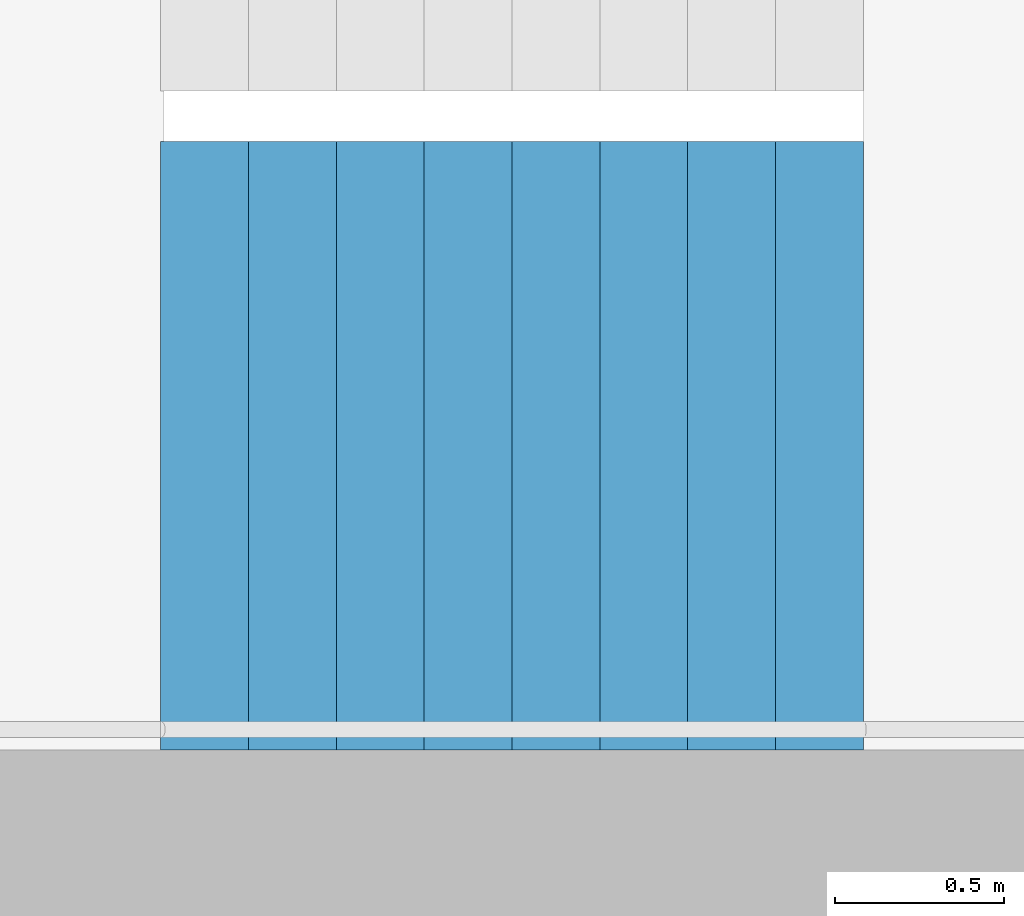
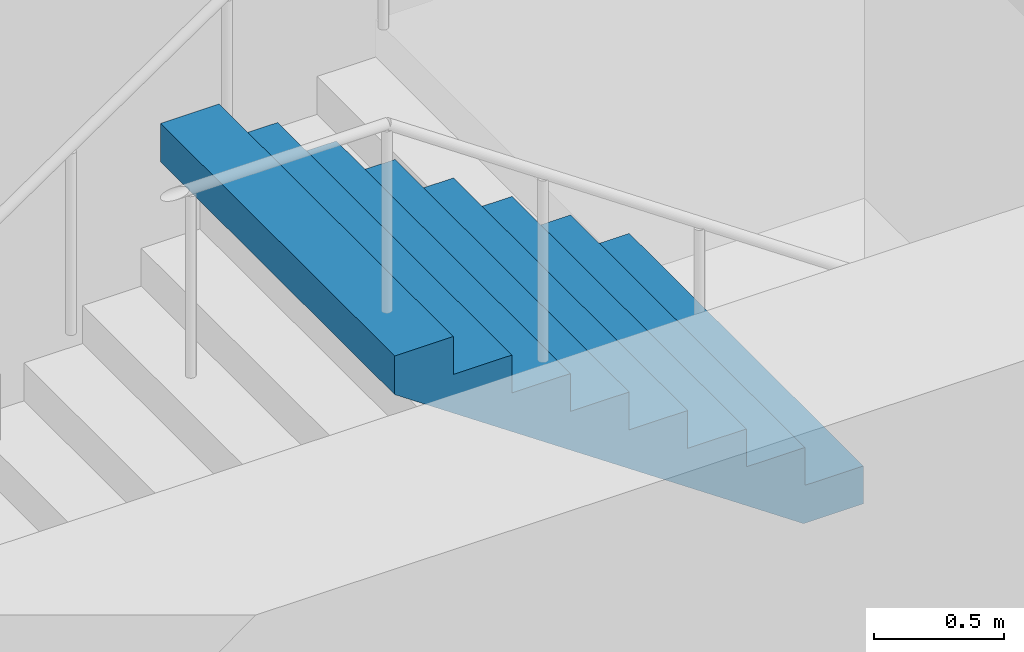
# One storey, part 22 of 26: 1 stair flight, 1 element without a shape of its own.
"""IFC4 building model written with IfcOpenShell, lengths in metres."""

from ifc_helpers import new_model, si_unit, direction, frame, origin, place, context, subcontext, project, spatial, triangles, material, type_object, element, aggregate, save


model = new_model("IFC4")

# Units and contexts
model_context = context("Model", 3, precision=1e-05, world=origin(), true_north=direction((0.0, 1.0)))
body_context = subcontext(model_context, "Body", "Model", "MODEL_VIEW")
ifc_project = project(units=[si_unit("LENGTHUNIT", "METRE"), si_unit("AREAUNIT", "SQUARE_METRE"), si_unit("VOLUMEUNIT", "CUBIC_METRE"), si_unit("PLANEANGLEUNIT", "RADIAN"), si_unit("MASSUNIT", "GRAM", prefix="KILO")], contexts=[model_context])

# Site, building, storey
site_placement = place(None, origin())
site = spatial("IfcSite", under=ifc_project, at=site_placement, CompositionType="ELEMENT")
building_placement = place(site_placement, origin())
building = spatial("IfcBuilding", under=site, at=building_placement, Name="Hakoniwa Tower and Hamabe Station Hall", CompositionType="ELEMENT")
storey_placement = place(building_placement, frame((0.0, 0.0, 140.60009765625)))
storey = spatial("IfcBuildingStorey", under=building, at=storey_placement, Name="L39", CompositionType="ELEMENT", Elevation=140.60009765625)

# Stair, stair flight
ifc_material_1 = material(Name="Concrete C40", Category="concrete")
stair_type = type_object("IfcStairType", Name="ESCAPE STAIR 1800", PredefinedType="HALF_TURN_STAIR", material=ifc_material_1)
stair_placement = place(storey_placement, origin())
stair = element("IfcStair", 1, at=stair_placement, inside=storey, type_object=stair_type, Name="Escape stair ST-4 L39", PredefinedType="HALF_TURN_STAIR")
ifc_material_2 = material(Name="Concrete C40", Category="concrete")
stair_flight_type = type_object("IfcStairFlightType", Name="STAIR FLIGHT 1800", PredefinedType="STRAIGHT", material=ifc_material_2)
stair_flight_placement = place(storey_placement, frame((25.47998046875, -6.60009765625, 1.599853515625), z_axis=(0.0, 0.0, 1.0), x_axis=(-1.0, 0.0, 0.0)))
stair_flight = element("IfcStairFlight", 2, at=stair_flight_placement, type_object=stair_flight_type, Name="ST-4 flight 2", NumberOfRisers=9, NumberOfTreads=8, PredefinedType="STRAIGHT", RiserHeight=0.177777778, TreadLength=0.26, context=body_context, shape_type="Tessellation", body=[
    triangles([(0.0, 0.89990234375, 0.0), (0.260009765625, 0.89990234375, 0.0), (0.265625, 0.89990234375, 0.0), (0.52001953125, 0.89990234375, 0.174072265625), (0.780029296875, 0.89990234375, 0.351806640625), (1.0400390625, 0.89990234375, 0.529541015625), (1.300048828125, 0.89990234375, 0.707275390625), (1.56005859375, 0.89990234375, 0.885009765625), (1.820068359375, 0.89990234375, 1.062744140625), (2.080078125, 0.89990234375, 1.24072265625), (2.080078125, 0.89990234375, 1.422119140625), (1.820068359375, 0.89990234375, 1.422119140625), (1.820068359375, 0.89990234375, 1.244384765625), (1.56005859375, 0.89990234375, 1.244384765625), (1.56005859375, 0.89990234375, 1.066650390625), (1.300048828125, 0.89990234375, 1.066650390625), (1.300048828125, 0.89990234375, 0.888916015625), (1.0400390625, 0.89990234375, 0.888916015625), (1.0400390625, 0.89990234375, 0.711181640625), (0.780029296875, 0.89990234375, 0.711181640625), (0.780029296875, 0.89990234375, 0.533447265625), (0.52001953125, 0.89990234375, 0.533447265625), (0.52001953125, 0.89990234375, 0.35546875), (0.265625, 0.89990234375, 0.35546875), (0.260009765625, 0.89990234375, 0.35546875), (0.260009765625, 0.89990234375, 0.177734375), (0.0, 0.89990234375, 0.177734375), (0.0, 0.06005859375, 0.0), (0.260009765625, 0.06005859375, 0.0), (0.265625, 0.06005859375, 0.0), (0.52001953125, 0.06005859375, 0.174072265625), (0.780029296875, 0.06005859375, 0.351806640625), (1.0400390625, 0.06005859375, 0.529541015625), (1.300048828125, 0.06005859375, 0.707275390625), (1.56005859375, 0.06005859375, 0.885009765625), (1.820068359375, 0.06005859375, 1.062744140625), (2.080078125, 0.06005859375, 1.24072265625), (2.080078125, 0.06005859375, 1.422119140625), (1.820068359375, 0.06005859375, 1.422119140625), (1.820068359375, 0.06005859375, 1.244384765625), (1.56005859375, 0.06005859375, 1.244384765625), (1.56005859375, 0.06005859375, 1.066650390625), (1.300048828125, 0.06005859375, 1.066650390625), (1.300048828125, 0.06005859375, 0.888916015625), (1.0400390625, 0.06005859375, 0.888916015625), (1.0400390625, 0.06005859375, 0.711181640625), (0.780029296875, 0.06005859375, 0.711181640625), (0.780029296875, 0.06005859375, 0.533447265625), (0.52001953125, 0.06005859375, 0.533447265625), (0.52001953125, 0.06005859375, 0.35546875), (0.265625, 0.06005859375, 0.35546875), (0.260009765625, 0.06005859375, 0.35546875), (0.260009765625, 0.06005859375, 0.177734375), (0.0, 0.06005859375, 0.177734375), (0.0, 0.04296875, 0.0), (0.260009765625, 0.04296875, 0.0), (0.265625, 0.04296875, 0.0), (0.52001953125, 0.04296875, 0.174072265625), (0.780029296875, 0.04296875, 0.351806640625), (1.0400390625, 0.04296875, 0.529541015625), (1.300048828125, 0.04296875, 0.707275390625), (1.56005859375, 0.04296875, 0.885009765625), (1.820068359375, 0.04296875, 1.062744140625), (2.080078125, 0.04296875, 1.24072265625), (2.080078125, 0.04296875, 1.422119140625), (1.820068359375, 0.04296875, 1.422119140625), (1.820068359375, 0.04296875, 1.244384765625), (1.56005859375, 0.04296875, 1.244384765625), (1.56005859375, 0.04296875, 1.066650390625), (1.300048828125, 0.04296875, 1.066650390625), (1.300048828125, 0.04296875, 0.888916015625), (1.0400390625, 0.04296875, 0.888916015625), (1.0400390625, 0.04296875, 0.711181640625), (0.780029296875, 0.04296875, 0.711181640625), (0.780029296875, 0.04296875, 0.533447265625), (0.52001953125, 0.04296875, 0.533447265625), (0.52001953125, 0.04296875, 0.35546875), (0.265625, 0.04296875, 0.35546875), (0.260009765625, 0.04296875, 0.35546875), (0.260009765625, 0.04296875, 0.177734375), (0.0, 0.04296875, 0.177734375), (0.0, 0.025634765625, 0.0), (0.260009765625, 0.025634765625, 0.0), (0.265625, 0.025634765625, 0.0), (0.52001953125, 0.025634765625, 0.174072265625), (0.780029296875, 0.025634765625, 0.351806640625), (1.0400390625, 0.025634765625, 0.529541015625), (1.300048828125, 0.025634765625, 0.707275390625), (1.56005859375, 0.025634765625, 0.885009765625), (1.820068359375, 0.025634765625, 1.062744140625), (2.080078125, 0.025634765625, 1.24072265625), (2.080078125, 0.025634765625, 1.422119140625), (1.820068359375, 0.025634765625, 1.422119140625), (1.820068359375, 0.025634765625, 1.244384765625), (1.56005859375, 0.025634765625, 1.244384765625), (1.56005859375, 0.025634765625, 1.066650390625), (1.300048828125, 0.025634765625, 1.066650390625), (1.300048828125, 0.025634765625, 0.888916015625), (1.0400390625, 0.025634765625, 0.888916015625), (1.0400390625, 0.025634765625, 0.711181640625), (0.780029296875, 0.025634765625, 0.711181640625), (0.780029296875, 0.025634765625, 0.533447265625), (0.52001953125, 0.025634765625, 0.533447265625), (0.52001953125, 0.025634765625, 0.35546875), (0.265625, 0.025634765625, 0.35546875), (0.260009765625, 0.025634765625, 0.35546875), (0.260009765625, 0.025634765625, 0.177734375), (0.0, 0.025634765625, 0.177734375), (0.0, 0.008544921875, 0.0), (0.260009765625, 0.008544921875, 0.0), (0.265625, 0.008544921875, 0.0), (0.52001953125, 0.008544921875, 0.174072265625), (0.780029296875, 0.008544921875, 0.351806640625), (1.0400390625, 0.008544921875, 0.529541015625), (1.300048828125, 0.008544921875, 0.707275390625), (1.56005859375, 0.008544921875, 0.885009765625), (1.820068359375, 0.008544921875, 1.062744140625), (2.080078125, 0.008544921875, 1.24072265625), (2.080078125, 0.008544921875, 1.422119140625), (1.820068359375, 0.008544921875, 1.422119140625), (1.820068359375, 0.008544921875, 1.244384765625), (1.56005859375, 0.008544921875, 1.244384765625), (1.56005859375, 0.008544921875, 1.066650390625), (1.300048828125, 0.008544921875, 1.066650390625), (1.300048828125, 0.008544921875, 0.888916015625), (1.0400390625, 0.008544921875, 0.888916015625), (1.0400390625, 0.008544921875, 0.711181640625), (0.780029296875, 0.008544921875, 0.711181640625), (0.780029296875, 0.008544921875, 0.533447265625), (0.52001953125, 0.008544921875, 0.533447265625), (0.52001953125, 0.008544921875, 0.35546875), (0.265625, 0.008544921875, 0.35546875), (0.260009765625, 0.008544921875, 0.35546875), (0.260009765625, 0.008544921875, 0.177734375), (0.0, 0.008544921875, 0.177734375), (0.0, -0.008544921875, 0.0), (0.260009765625, -0.008544921875, 0.0), (0.265625, -0.008544921875, 0.0), (0.52001953125, -0.008544921875, 0.174072265625), (0.780029296875, -0.008544921875, 0.351806640625), (1.0400390625, -0.008544921875, 0.529541015625), (1.300048828125, -0.008544921875, 0.707275390625), (1.56005859375, -0.008544921875, 0.885009765625), (1.820068359375, -0.008544921875, 1.062744140625), (2.080078125, -0.008544921875, 1.24072265625), (2.080078125, -0.008544921875, 1.422119140625), (1.820068359375, -0.008544921875, 1.422119140625), (1.820068359375, -0.008544921875, 1.244384765625), (1.56005859375, -0.008544921875, 1.244384765625), (1.56005859375, -0.008544921875, 1.066650390625), (1.300048828125, -0.008544921875, 1.066650390625), (1.300048828125, -0.008544921875, 0.888916015625), (1.0400390625, -0.008544921875, 0.888916015625), (1.0400390625, -0.008544921875, 0.711181640625), (0.780029296875, -0.008544921875, 0.711181640625), (0.780029296875, -0.008544921875, 0.533447265625), (0.52001953125, -0.008544921875, 0.533447265625), (0.52001953125, -0.008544921875, 0.35546875), (0.265625, -0.008544921875, 0.35546875), (0.260009765625, -0.008544921875, 0.35546875), (0.260009765625, -0.008544921875, 0.177734375), (0.0, -0.008544921875, 0.177734375), (0.0, -0.025634765625, 0.0), (0.260009765625, -0.025634765625, 0.0), (0.265625, -0.025634765625, 0.0), (0.52001953125, -0.025634765625, 0.174072265625), (0.780029296875, -0.025634765625, 0.351806640625), (1.0400390625, -0.025634765625, 0.529541015625), (1.300048828125, -0.025634765625, 0.707275390625), (1.56005859375, -0.025634765625, 0.885009765625), (1.820068359375, -0.025634765625, 1.062744140625), (2.080078125, -0.025634765625, 1.24072265625), (2.080078125, -0.025634765625, 1.422119140625), (1.820068359375, -0.025634765625, 1.422119140625), (1.820068359375, -0.025634765625, 1.244384765625), (1.56005859375, -0.025634765625, 1.244384765625), (1.56005859375, -0.025634765625, 1.066650390625), (1.300048828125, -0.025634765625, 1.066650390625), (1.300048828125, -0.025634765625, 0.888916015625), (1.0400390625, -0.025634765625, 0.888916015625), (1.0400390625, -0.025634765625, 0.711181640625), (0.780029296875, -0.025634765625, 0.711181640625), (0.780029296875, -0.025634765625, 0.533447265625), (0.52001953125, -0.025634765625, 0.533447265625), (0.52001953125, -0.025634765625, 0.35546875), (0.265625, -0.025634765625, 0.35546875), (0.260009765625, -0.025634765625, 0.35546875), (0.260009765625, -0.025634765625, 0.177734375), (0.0, -0.025634765625, 0.177734375), (0.0, -0.04296875, 0.0), (0.260009765625, -0.04296875, 0.0), (0.265625, -0.04296875, 0.0), (0.52001953125, -0.04296875, 0.174072265625), (0.780029296875, -0.04296875, 0.351806640625), (1.0400390625, -0.04296875, 0.529541015625), (1.300048828125, -0.04296875, 0.707275390625), (1.56005859375, -0.04296875, 0.885009765625), (1.820068359375, -0.04296875, 1.062744140625), (2.080078125, -0.04296875, 1.24072265625), (2.080078125, -0.04296875, 1.422119140625), (1.820068359375, -0.04296875, 1.422119140625), (1.820068359375, -0.04296875, 1.244384765625), (1.56005859375, -0.04296875, 1.244384765625), (1.56005859375, -0.04296875, 1.066650390625), (1.300048828125, -0.04296875, 1.066650390625), (1.300048828125, -0.04296875, 0.888916015625), (1.0400390625, -0.04296875, 0.888916015625), (1.0400390625, -0.04296875, 0.711181640625), (0.780029296875, -0.04296875, 0.711181640625), (0.780029296875, -0.04296875, 0.533447265625), (0.52001953125, -0.04296875, 0.533447265625), (0.52001953125, -0.04296875, 0.35546875), (0.265625, -0.04296875, 0.35546875), (0.260009765625, -0.04296875, 0.35546875), (0.260009765625, -0.04296875, 0.177734375), (0.0, -0.04296875, 0.177734375), (0.0, -0.06005859375, 0.0), (0.260009765625, -0.06005859375, 0.0), (0.265625, -0.06005859375, 0.0), (0.52001953125, -0.06005859375, 0.174072265625), (0.780029296875, -0.06005859375, 0.351806640625), (1.0400390625, -0.06005859375, 0.529541015625), (1.300048828125, -0.06005859375, 0.707275390625), (1.56005859375, -0.06005859375, 0.885009765625), (1.820068359375, -0.06005859375, 1.062744140625), (2.080078125, -0.06005859375, 1.24072265625), (2.080078125, -0.06005859375, 1.422119140625), (1.820068359375, -0.06005859375, 1.422119140625), (1.820068359375, -0.06005859375, 1.244384765625), (1.56005859375, -0.06005859375, 1.244384765625), (1.56005859375, -0.06005859375, 1.066650390625), (1.300048828125, -0.06005859375, 1.066650390625), (1.300048828125, -0.06005859375, 0.888916015625), (1.0400390625, -0.06005859375, 0.888916015625), (1.0400390625, -0.06005859375, 0.711181640625), (0.780029296875, -0.06005859375, 0.711181640625), (0.780029296875, -0.06005859375, 0.533447265625), (0.52001953125, -0.06005859375, 0.533447265625), (0.52001953125, -0.06005859375, 0.35546875), (0.265625, -0.06005859375, 0.35546875), (0.260009765625, -0.06005859375, 0.35546875), (0.260009765625, -0.06005859375, 0.177734375), (0.0, -0.06005859375, 0.177734375), (0.0, -0.89990234375, 0.0), (0.260009765625, -0.89990234375, 0.0), (0.265625, -0.89990234375, 0.0), (0.52001953125, -0.89990234375, 0.174072265625), (0.780029296875, -0.89990234375, 0.351806640625), (1.0400390625, -0.89990234375, 0.529541015625), (1.300048828125, -0.89990234375, 0.707275390625), (1.56005859375, -0.89990234375, 0.885009765625), (1.820068359375, -0.89990234375, 1.062744140625), (2.080078125, -0.89990234375, 1.24072265625), (2.080078125, -0.89990234375, 1.422119140625), (1.820068359375, -0.89990234375, 1.422119140625), (1.820068359375, -0.89990234375, 1.244384765625), (1.56005859375, -0.89990234375, 1.244384765625), (1.56005859375, -0.89990234375, 1.066650390625), (1.300048828125, -0.89990234375, 1.066650390625), (1.300048828125, -0.89990234375, 0.888916015625), (1.0400390625, -0.89990234375, 0.888916015625), (1.0400390625, -0.89990234375, 0.711181640625), (0.780029296875, -0.89990234375, 0.711181640625), (0.780029296875, -0.89990234375, 0.533447265625), (0.52001953125, -0.89990234375, 0.533447265625), (0.52001953125, -0.89990234375, 0.35546875), (0.265625, -0.89990234375, 0.35546875), (0.260009765625, -0.89990234375, 0.35546875), (0.260009765625, -0.89990234375, 0.177734375), (0.0, -0.89990234375, 0.177734375)], [[2, 27, 26], [245, 269, 270], [2, 1, 27], [245, 270, 244], [3, 25, 24], [246, 267, 268], [3, 26, 25], [246, 268, 269], [3, 2, 26], [246, 269, 245], [4, 24, 23], [247, 266, 267], [4, 3, 24], [247, 267, 246], [5, 22, 21], [248, 264, 265], [5, 23, 22], [248, 265, 266], [5, 4, 23], [248, 266, 247], [6, 20, 19], [249, 262, 263], [6, 21, 20], [249, 263, 264], [6, 5, 21], [249, 264, 248], [7, 18, 17], [250, 260, 261], [7, 19, 18], [250, 261, 262], [7, 6, 19], [250, 262, 249], [8, 16, 15], [251, 258, 259], [8, 17, 16], [251, 259, 260], [8, 7, 17], [251, 260, 250], [9, 14, 13], [252, 256, 257], [9, 15, 14], [252, 257, 258], [9, 8, 15], [252, 258, 251], [10, 12, 11], [253, 254, 255], [10, 13, 12], [253, 255, 256], [10, 9, 13], [253, 256, 252], [1, 2, 29], [1, 29, 28], [28, 29, 56], [28, 56, 55], [55, 56, 83], [55, 83, 82], [82, 83, 110], [82, 110, 109], [109, 110, 137], [109, 137, 136], [136, 137, 164], [136, 164, 163], [163, 164, 191], [163, 191, 190], [190, 191, 218], [190, 218, 217], [217, 218, 245], [217, 245, 244], [2, 3, 30], [2, 30, 29], [29, 30, 57], [29, 57, 56], [56, 57, 84], [56, 84, 83], [83, 84, 111], [83, 111, 110], [110, 111, 138], [110, 138, 137], [137, 138, 165], [137, 165, 164], [164, 165, 192], [164, 192, 191], [191, 192, 219], [191, 219, 218], [218, 219, 246], [218, 246, 245], [3, 4, 31], [3, 31, 30], [30, 31, 58], [30, 58, 57], [57, 58, 85], [57, 85, 84], [84, 85, 112], [84, 112, 111], [111, 112, 139], [111, 139, 138], [138, 139, 166], [138, 166, 165], [165, 166, 193], [165, 193, 192], [192, 193, 220], [192, 220, 219], [219, 220, 247], [219, 247, 246], [4, 5, 32], [4, 32, 31], [31, 32, 59], [31, 59, 58], [58, 59, 86], [58, 86, 85], [85, 86, 113], [85, 113, 112], [112, 113, 140], [112, 140, 139], [139, 140, 167], [139, 167, 166], [166, 167, 194], [166, 194, 193], [193, 194, 221], [193, 221, 220], [220, 221, 248], [220, 248, 247], [5, 6, 33], [5, 33, 32], [32, 33, 60], [32, 60, 59], [59, 60, 87], [59, 87, 86], [86, 87, 114], [86, 114, 113], [113, 114, 141], [113, 141, 140], [140, 141, 168], [140, 168, 167], [167, 168, 195], [167, 195, 194], [194, 195, 222], [194, 222, 221], [221, 222, 249], [221, 249, 248], [6, 7, 34], [6, 34, 33], [33, 34, 61], [33, 61, 60], [60, 61, 88], [60, 88, 87], [87, 88, 115], [87, 115, 114], [114, 115, 142], [114, 142, 141], [141, 142, 169], [141, 169, 168], [168, 169, 196], [168, 196, 195], [195, 196, 223], [195, 223, 222], [222, 223, 250], [222, 250, 249], [7, 8, 35], [7, 35, 34], [34, 35, 62], [34, 62, 61], [61, 62, 89], [61, 89, 88], [88, 89, 116], [88, 116, 115], [115, 116, 143], [115, 143, 142], [142, 143, 170], [142, 170, 169], [169, 170, 197], [169, 197, 196], [196, 197, 224], [196, 224, 223], [223, 224, 251], [223, 251, 250], [8, 9, 36], [8, 36, 35], [35, 36, 63], [35, 63, 62], [62, 63, 90], [62, 90, 89], [89, 90, 117], [89, 117, 116], [116, 117, 144], [116, 144, 143], [143, 144, 171], [143, 171, 170], [170, 171, 198], [170, 198, 197], [197, 198, 225], [197, 225, 224], [224, 225, 252], [224, 252, 251], [9, 10, 37], [9, 37, 36], [36, 37, 64], [36, 64, 63], [63, 64, 91], [63, 91, 90], [90, 91, 118], [90, 118, 117], [117, 118, 145], [117, 145, 144], [144, 145, 172], [144, 172, 171], [171, 172, 199], [171, 199, 198], [198, 199, 226], [198, 226, 225], [225, 226, 253], [225, 253, 252], [10, 11, 38], [10, 38, 37], [37, 38, 65], [37, 65, 64], [64, 65, 92], [64, 92, 91], [91, 92, 119], [91, 119, 118], [118, 119, 146], [118, 146, 145], [145, 146, 173], [145, 173, 172], [172, 173, 200], [172, 200, 199], [199, 200, 227], [199, 227, 226], [226, 227, 254], [226, 254, 253], [11, 12, 39], [11, 39, 38], [38, 39, 66], [38, 66, 65], [65, 66, 93], [65, 93, 92], [92, 93, 120], [92, 120, 119], [119, 120, 147], [119, 147, 146], [146, 147, 174], [146, 174, 173], [173, 174, 201], [173, 201, 200], [200, 201, 228], [200, 228, 227], [227, 228, 255], [227, 255, 254], [12, 13, 40], [12, 40, 39], [39, 40, 67], [39, 67, 66], [66, 67, 94], [66, 94, 93], [93, 94, 121], [93, 121, 120], [120, 121, 148], [120, 148, 147], [147, 148, 175], [147, 175, 174], [174, 175, 202], [174, 202, 201], [201, 202, 229], [201, 229, 228], [228, 229, 256], [228, 256, 255], [13, 14, 41], [13, 41, 40], [40, 41, 68], [40, 68, 67], [67, 68, 95], [67, 95, 94], [94, 95, 122], [94, 122, 121], [121, 122, 149], [121, 149, 148], [148, 149, 176], [148, 176, 175], [175, 176, 203], [175, 203, 202], [202, 203, 230], [202, 230, 229], [229, 230, 257], [229, 257, 256], [14, 15, 42], [14, 42, 41], [41, 42, 69], [41, 69, 68], [68, 69, 96], [68, 96, 95], [95, 96, 123], [95, 123, 122], [122, 123, 150], [122, 150, 149], [149, 150, 177], [149, 177, 176], [176, 177, 204], [176, 204, 203], [203, 204, 231], [203, 231, 230], [230, 231, 258], [230, 258, 257], [15, 16, 43], [15, 43, 42], [42, 43, 70], [42, 70, 69], [69, 70, 97], [69, 97, 96], [96, 97, 124], [96, 124, 123], [123, 124, 151], [123, 151, 150], [150, 151, 178], [150, 178, 177], [177, 178, 205], [177, 205, 204], [204, 205, 232], [204, 232, 231], [231, 232, 259], [231, 259, 258], [16, 17, 44], [16, 44, 43], [43, 44, 71], [43, 71, 70], [70, 71, 98], [70, 98, 97], [97, 98, 125], [97, 125, 124], [124, 125, 152], [124, 152, 151], [151, 152, 179], [151, 179, 178], [178, 179, 206], [178, 206, 205], [205, 206, 233], [205, 233, 232], [232, 233, 260], [232, 260, 259], [17, 18, 45], [17, 45, 44], [44, 45, 72], [44, 72, 71], [71, 72, 99], [71, 99, 98], [98, 99, 126], [98, 126, 125], [125, 126, 153], [125, 153, 152], [152, 153, 180], [152, 180, 179], [179, 180, 207], [179, 207, 206], [206, 207, 234], [206, 234, 233], [233, 234, 261], [233, 261, 260], [18, 19, 46], [18, 46, 45], [45, 46, 73], [45, 73, 72], [72, 73, 100], [72, 100, 99], [99, 100, 127], [99, 127, 126], [126, 127, 154], [126, 154, 153], [153, 154, 181], [153, 181, 180], [180, 181, 208], [180, 208, 207], [207, 208, 235], [207, 235, 234], [234, 235, 262], [234, 262, 261], [19, 20, 47], [19, 47, 46], [46, 47, 74], [46, 74, 73], [73, 74, 101], [73, 101, 100], [100, 101, 128], [100, 128, 127], [127, 128, 155], [127, 155, 154], [154, 155, 182], [154, 182, 181], [181, 182, 209], [181, 209, 208], [208, 209, 236], [208, 236, 235], [235, 236, 263], [235, 263, 262], [20, 21, 48], [20, 48, 47], [47, 48, 75], [47, 75, 74], [74, 75, 102], [74, 102, 101], [101, 102, 129], [101, 129, 128], [128, 129, 156], [128, 156, 155], [155, 156, 183], [155, 183, 182], [182, 183, 210], [182, 210, 209], [209, 210, 237], [209, 237, 236], [236, 237, 264], [236, 264, 263], [21, 22, 49], [21, 49, 48], [48, 49, 76], [48, 76, 75], [75, 76, 103], [75, 103, 102], [102, 103, 130], [102, 130, 129], [129, 130, 157], [129, 157, 156], [156, 157, 184], [156, 184, 183], [183, 184, 211], [183, 211, 210], [210, 211, 238], [210, 238, 237], [237, 238, 265], [237, 265, 264], [22, 23, 50], [22, 50, 49], [49, 50, 77], [49, 77, 76], [76, 77, 104], [76, 104, 103], [103, 104, 131], [103, 131, 130], [130, 131, 158], [130, 158, 157], [157, 158, 185], [157, 185, 184], [184, 185, 212], [184, 212, 211], [211, 212, 239], [211, 239, 238], [238, 239, 266], [238, 266, 265], [23, 24, 51], [23, 51, 50], [50, 51, 78], [50, 78, 77], [77, 78, 105], [77, 105, 104], [104, 105, 132], [104, 132, 131], [131, 132, 159], [131, 159, 158], [158, 159, 186], [158, 186, 185], [185, 186, 213], [185, 213, 212], [212, 213, 240], [212, 240, 239], [239, 240, 267], [239, 267, 266], [24, 25, 52], [24, 52, 51], [51, 52, 79], [51, 79, 78], [78, 79, 106], [78, 106, 105], [105, 106, 133], [105, 133, 132], [132, 133, 160], [132, 160, 159], [159, 160, 187], [159, 187, 186], [186, 187, 214], [186, 214, 213], [213, 214, 241], [213, 241, 240], [240, 241, 268], [240, 268, 267], [25, 26, 53], [25, 53, 52], [52, 53, 80], [52, 80, 79], [79, 80, 107], [79, 107, 106], [106, 107, 134], [106, 134, 133], [133, 134, 161], [133, 161, 160], [160, 161, 188], [160, 188, 187], [187, 188, 215], [187, 215, 214], [214, 215, 242], [214, 242, 241], [241, 242, 269], [241, 269, 268], [26, 27, 54], [26, 54, 53], [53, 54, 81], [53, 81, 80], [80, 81, 108], [80, 108, 107], [107, 108, 135], [107, 135, 134], [134, 135, 162], [134, 162, 161], [161, 162, 189], [161, 189, 188], [188, 189, 216], [188, 216, 215], [215, 216, 243], [215, 243, 242], [242, 243, 270], [242, 270, 269], [27, 1, 28], [27, 28, 54], [54, 28, 55], [54, 55, 81], [81, 55, 82], [81, 82, 108], [108, 82, 109], [108, 109, 135], [135, 109, 136], [135, 136, 162], [162, 136, 163], [162, 163, 189], [189, 163, 190], [189, 190, 216], [216, 190, 217], [216, 217, 243], [243, 217, 244], [243, 244, 270]], closed=True),
])
aggregate(stair, [stair_flight])

save(model, "model.ifc")
